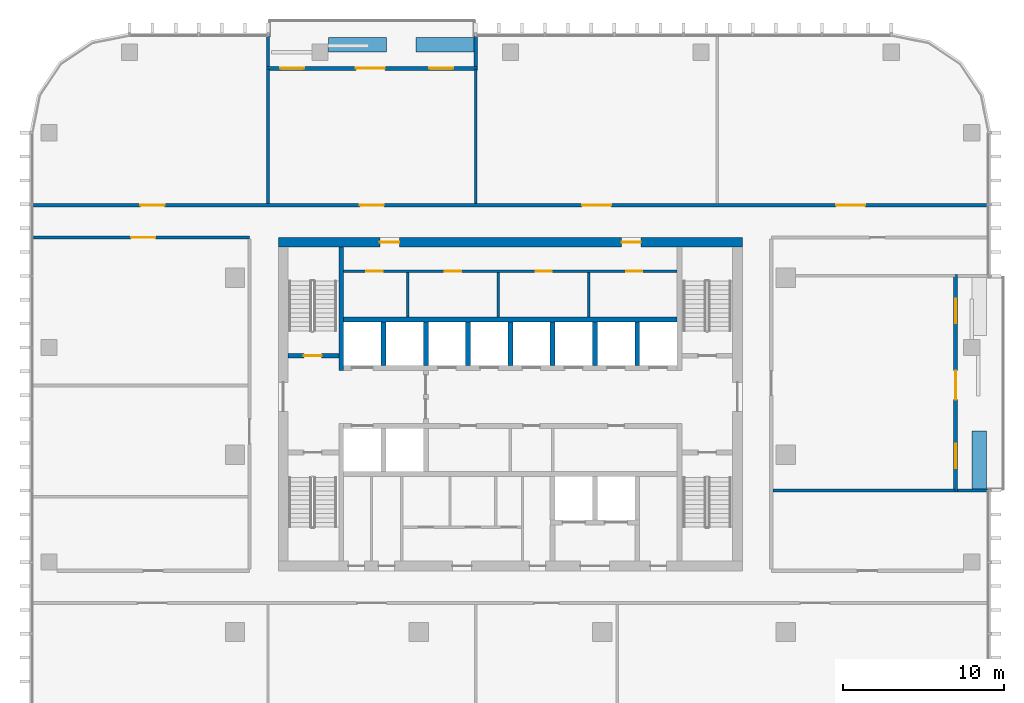
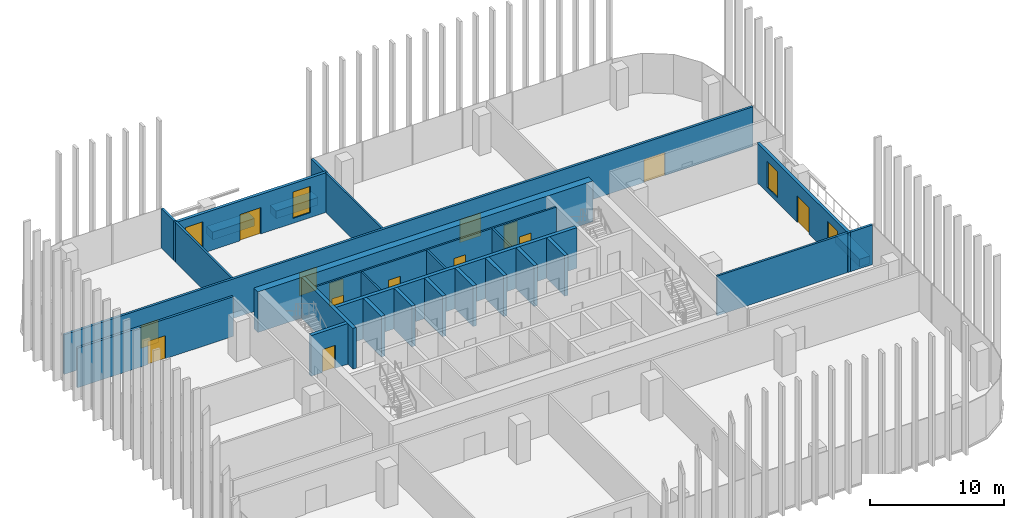
# One storey, part 9 of 16: 28 walls, 14 doors, 4 windows, 18 openings.
"""IFC4 building model written with IfcOpenShell, lengths in metres."""

from ifc_helpers import new_model, si_unit, direction, frame, frame_2d, origin, place, context, subcontext, project, spatial, rectangle, extrude, material, layer, layer_set, type_object, element, fill, save


model = new_model("IFC4")

# Units and contexts
model_context = context("Model", 3, precision=1e-05, world=origin(), true_north=direction((0.0, 1.0)))
body_context = subcontext(model_context, "Body", "Model", "MODEL_VIEW")
ifc_project = project(units=[si_unit("LENGTHUNIT", "METRE"), si_unit("AREAUNIT", "SQUARE_METRE"), si_unit("VOLUMEUNIT", "CUBIC_METRE"), si_unit("PLANEANGLEUNIT", "RADIAN"), si_unit("MASSUNIT", "GRAM", prefix="KILO")], contexts=[model_context])

# Site, building, storey
site_placement = place(None, origin())
site = spatial("IfcSite", under=ifc_project, at=site_placement, CompositionType="ELEMENT")
building_placement = place(site_placement, origin())
building = spatial("IfcBuilding", under=site, at=building_placement, Name="Mopane Tessera Tower", CompositionType="ELEMENT")
storey_placement = place(building_placement, frame((0.0, 0.0, 303.39990234375)))
storey = spatial("IfcBuildingStorey", under=building, at=storey_placement, Name="L66", CompositionType="ELEMENT", Elevation=303.39990234375)

# Walls
ifc_material_1 = material(Name="Fire-rated gypsum board partition")
ifc_layer_1 = layer(ifc_material_1, 0.14990234375)
ifc_layer_set_1 = layer_set([ifc_layer_1], Name="Fire-rated gypsum board partition")
wall_type_1 = type_object("IfcWallType", Name="Core room partition 150 mm", PredefinedType="PARTITIONING", material=ifc_layer_set_1)
for number, where, z_axis, x_axis, name in (
    (1, (-6.375, 8.550048828125, 0.0), (0.0, 0.0, 1.0), (0.0, 1.0, 0.0), "L66 Room partition"),
    (2, (-0.75, 8.550048828125, 0.0), (0.0, 0.0, 1.0), (0.0, 1.0, 0.0), "L66 Room partition"),
    (3, (4.875, 8.550048828125, 0.0), (0.0, 0.0, 1.0), (0.0, 1.0, 0.0), "L66 Room partition"),
):
    element("IfcWall", number, at=place(storey_placement, frame(where, z_axis=z_axis, x_axis=x_axis)), inside=storey, type_object=wall_type_1, Name=name, PredefinedType="PARTITIONING", context=body_context, shape_type="SweptSolid", body=[
        extrude(rectangle(XDim=2.77490234375, YDim=0.14990234375, at=frame_2d((1.387451171875, 0.0))), origin(), (0.0, 0.0, 1.0), 3.7001953125),
    ])

# Wall, openings, doors
wall_1_placement = place(storey_placement, frame((-10.35009765625, 11.39990234375, 0.0), z_axis=(0.0, 0.0, 1.0), x_axis=(1.0, 0.0, 0.0)))
wall_1 = element("IfcWall", 4, at=wall_1_placement, inside=storey, type_object=wall_type_1, Name="L66 Corridor wall", PredefinedType="PARTITIONING", context=body_context, shape_type="SweptSolid", body=[
    extrude(rectangle(XDim=20.7001953125, YDim=0.14990234375, at=frame_2d((10.35009765625, 0.0))), origin(), (0.0, 0.0, 1.0), 3.7001953125),
])
opening_1_placement = place(wall_1_placement, frame((1.41259765625, 0.0, 0.0)))
opening_1 = element("IfcOpeningElement", 5, at=opening_1_placement, cuts=wall_1, Name="Opening RD1", PredefinedType="OPENING", context=body_context, shape_type="SweptSolid", body=[
    extrude(rectangle(XDim=1.0, YDim=2.10009765625, at=frame_2d((0.5, 1.050048828125))), frame((0.0, 0.0869140625, 0.0), z_axis=(0.0, -1.0, 0.0), x_axis=(1.0, 0.0, 0.0)), (0.0, 0.0, 1.0), 0.173828125),
])
opening_2_placement = place(wall_1_placement, frame((6.28759765625, 0.0, 0.0)))
opening_2 = element("IfcOpeningElement", 6, at=opening_2_placement, cuts=wall_1, Name="Opening RD1", PredefinedType="OPENING", context=body_context, shape_type="SweptSolid", body=[
    extrude(rectangle(XDim=1.0, YDim=2.10009765625, at=frame_2d((0.5, 1.050048828125))), frame((0.0, 0.0869140625, 0.0), z_axis=(0.0, -1.0, 0.0), x_axis=(1.0, 0.0, 0.0)), (0.0, 0.0, 1.0), 0.173828125),
])
opening_3_placement = place(wall_1_placement, frame((11.91259765625, 0.0, 0.0)))
opening_3 = element("IfcOpeningElement", 7, at=opening_3_placement, cuts=wall_1, Name="Opening RD1", PredefinedType="OPENING", context=body_context, shape_type="SweptSolid", body=[
    extrude(rectangle(XDim=1.0, YDim=2.10009765625, at=frame_2d((0.5, 1.050048828125))), frame((0.0, 0.0869140625, 0.0), z_axis=(0.0, -1.0, 0.0), x_axis=(1.0, 0.0, 0.0)), (0.0, 0.0, 1.0), 0.173828125),
])
opening_4_placement = place(wall_1_placement, frame((17.53759765625, 0.0, 0.0)))
opening_4 = element("IfcOpeningElement", 8, at=opening_4_placement, cuts=wall_1, Name="Opening RD1", PredefinedType="OPENING", context=body_context, shape_type="SweptSolid", body=[
    extrude(rectangle(XDim=1.0, YDim=2.10009765625, at=frame_2d((0.5, 1.050048828125))), frame((0.0, 0.0869140625, 0.0), z_axis=(0.0, -1.0, 0.0), x_axis=(1.0, 0.0, 0.0)), (0.0, 0.0, 1.0), 0.173828125),
])
ifc_material_2 = material(Name="Timber door", Category="wood")
door_type_1 = type_object("IfcDoorType", Name="Core room door 1000 x 2100", OperationType="SINGLE_SWING_LEFT", PredefinedType="DOOR", material=ifc_material_2)
door_1_placement = place(opening_1_placement, origin())
door_1 = element("IfcDoor", 9, at=door_1_placement, inside=storey, type_object=door_type_1, Name="L66 Room door", OperationType="SINGLE_SWING_LEFT", OverallHeight=2.10009765625, OverallWidth=1.0, PredefinedType="DOOR", context=body_context, shape_type="SweptSolid", body=[
    extrude(rectangle(XDim=1.0, YDim=2.10009765625, at=frame_2d((0.5, 1.050048828125))), frame((0.0, 0.02490234375, 0.0), z_axis=(0.0, -1.0, 0.0), x_axis=(1.0, 0.0, 0.0)), (0.0, 0.0, 1.0), 0.050048828125),
])
fill(opening_1, door_1)
door_2_placement = place(opening_2_placement, origin())
door_2 = element("IfcDoor", 10, at=door_2_placement, inside=storey, type_object=door_type_1, Name="L66 Room door", OperationType="SINGLE_SWING_LEFT", OverallHeight=2.10009765625, OverallWidth=1.0, PredefinedType="DOOR", context=body_context, shape_type="SweptSolid", body=[
    extrude(rectangle(XDim=1.0, YDim=2.10009765625, at=frame_2d((0.5, 1.050048828125))), frame((0.0, 0.02490234375, 0.0), z_axis=(0.0, -1.0, 0.0), x_axis=(1.0, 0.0, 0.0)), (0.0, 0.0, 1.0), 0.050048828125),
])
fill(opening_2, door_2)
door_3_placement = place(opening_3_placement, origin())
door_3 = element("IfcDoor", 11, at=door_3_placement, inside=storey, type_object=door_type_1, Name="L66 Room door", OperationType="SINGLE_SWING_LEFT", OverallHeight=2.10009765625, OverallWidth=1.0, PredefinedType="DOOR", context=body_context, shape_type="SweptSolid", body=[
    extrude(rectangle(XDim=1.0, YDim=2.10009765625, at=frame_2d((0.5, 1.050048828125))), frame((0.0, 0.02490234375, 0.0), z_axis=(0.0, -1.0, 0.0), x_axis=(1.0, 0.0, 0.0)), (0.0, 0.0, 1.0), 0.050048828125),
])
fill(opening_3, door_3)
door_4_placement = place(opening_4_placement, origin())
door_4 = element("IfcDoor", 12, at=door_4_placement, inside=storey, type_object=door_type_1, Name="L66 Room door", OperationType="SINGLE_SWING_LEFT", OverallHeight=2.10009765625, OverallWidth=1.0, PredefinedType="DOOR", context=body_context, shape_type="SweptSolid", body=[
    extrude(rectangle(XDim=1.0, YDim=2.10009765625, at=frame_2d((0.5, 1.050048828125))), frame((0.0, 0.02490234375, 0.0), z_axis=(0.0, -1.0, 0.0), x_axis=(1.0, 0.0, 0.0)), (0.0, 0.0, 1.0), 0.050048828125),
])
fill(opening_4, door_4)

ifc_material_3 = material(Name="Concrete C70/85", Category="concrete")
ifc_layer_2 = layer(ifc_material_3, 0.60009765625)
ifc_layer_set_2 = layer_set([ifc_layer_2], Name="Concrete C70/85")
wall_type_2 = type_object("IfcWallType", Name="Core shear wall 600 mm", PredefinedType="SHEAR", material=ifc_layer_set_2)
wall_2_placement = place(storey_placement, frame((-14.39990234375, 13.199951171875, 0.0), z_axis=(0.0, 0.0, 1.0), x_axis=(1.0, 0.0, 0.0)))
wall_2 = element("IfcWall", 13, at=wall_2_placement, inside=storey, type_object=wall_type_2, Name="L66 Core wall north", PredefinedType="SHEAR", context=body_context, shape_type="SweptSolid", body=[
    extrude(rectangle(XDim=28.7998046875, YDim=0.60009765625, at=frame_2d((14.39990234375, 0.0))), origin(), (0.0, 0.0, 1.0), 3.7001953125),
])
opening_5_placement = place(wall_2_placement, frame((6.300048828125, 0.0, 0.0)))
opening_5 = element("IfcOpeningElement", 14, at=opening_5_placement, cuts=wall_2, Name="Opening RD2", PredefinedType="OPENING", context=body_context, shape_type="SweptSolid", body=[
    extrude(rectangle(XDim=1.199951171875, YDim=2.10009765625, at=frame_2d((0.60009765625, 1.050048828125))), frame((0.0, 0.31201171875, 0.0), z_axis=(0.0, -1.0, 0.0), x_axis=(1.0, 0.0, 0.0)), (0.0, 0.0, 1.0), 0.6240234375),
])
opening_6_placement = place(wall_2_placement, frame((21.300048828125, 0.0, 0.0)))
opening_6 = element("IfcOpeningElement", 15, at=opening_6_placement, cuts=wall_2, Name="Opening RD2", PredefinedType="OPENING", context=body_context, shape_type="SweptSolid", body=[
    extrude(rectangle(XDim=1.199951171875, YDim=2.10009765625, at=frame_2d((0.60009765625, 1.050048828125))), frame((0.0, 0.31201171875, 0.0), z_axis=(0.0, -1.0, 0.0), x_axis=(1.0, 0.0, 0.0)), (0.0, 0.0, 1.0), 0.6240234375),
])
ifc_material_4 = material(Name="Timber door", Category="wood")
door_type_2 = type_object("IfcDoorType", Name="Core corridor door 1200 x 2100", OperationType="SINGLE_SWING_LEFT", PredefinedType="DOOR", material=ifc_material_4)
door_5_placement = place(opening_5_placement, origin())
door_5 = element("IfcDoor", 16, at=door_5_placement, inside=storey, type_object=door_type_2, Name="L66 Corridor door", OperationType="SINGLE_SWING_LEFT", OverallHeight=2.10009765625, OverallWidth=1.199951171875, PredefinedType="DOOR", context=body_context, shape_type="SweptSolid", body=[
    extrude(rectangle(XDim=1.199951171875, YDim=2.10009765625, at=frame_2d((0.60009765625, 1.050048828125))), frame((0.0, 0.02490234375, 0.0), z_axis=(0.0, -1.0, 0.0), x_axis=(1.0, 0.0, 0.0)), (0.0, 0.0, 1.0), 0.050048828125),
])
fill(opening_5, door_5)
door_6_placement = place(opening_6_placement, origin())
door_6 = element("IfcDoor", 17, at=door_6_placement, inside=storey, type_object=door_type_2, Name="L66 Corridor door", OperationType="SINGLE_SWING_RIGHT", OverallHeight=2.10009765625, OverallWidth=1.199951171875, PredefinedType="DOOR", context=body_context, shape_type="SweptSolid", body=[
    extrude(rectangle(XDim=1.199951171875, YDim=2.10009765625, at=frame_2d((0.60009765625, 1.050048828125))), frame((0.0, 0.02490234375, 0.0), z_axis=(0.0, -1.0, 0.0), x_axis=(1.0, 0.0, 0.0)), (0.0, 0.0, 1.0), 0.050048828125),
])
fill(opening_6, door_6)

# Walls
ifc_material_5 = material(Name="Concrete C60/75", Category="concrete")
ifc_layer_3 = layer(ifc_material_5, 0.300048828125)
ifc_layer_set_3 = layer_set([ifc_layer_3], Name="Concrete C60/75")
wall_type_3 = type_object("IfcWallType", Name="Core spine wall 300 mm", PredefinedType="SHEAR", material=ifc_layer_set_3)
wall_3_placement = place(storey_placement, frame((-10.5, 5.25, 0.0), z_axis=(0.0, 0.0, 1.0), x_axis=(0.0, 1.0, 0.0)))
element("IfcWall", 18, at=wall_3_placement, inside=storey, type_object=wall_type_3, Name="L66 Core spine wall", PredefinedType="SHEAR", context=body_context, shape_type="SweptSolid", body=[
    extrude(rectangle(XDim=7.64990234375, YDim=0.300048828125, at=frame_2d((3.824951171875, 0.0))), origin(), (0.0, 0.0, 1.0), 3.7001953125),
])
ifc_material_6 = material(Name="Gypsum board on staggered steel studs, double layer each face, acoustic mineral wool infill", Category="steel")
ifc_layer_4 = layer(ifc_material_6, 0.175048828125)
ifc_layer_set_4 = layer_set([ifc_layer_4], Name="Gypsum board on staggered steel studs, double layer each face, acoustic mineral wool infill")
wall_type_4 = type_object("IfcWallType", Name="Gypsum board acoustic partition 175, rated EI 60", PredefinedType="PARTITIONING", material=ifc_layer_set_4)
wall_4_placement = place(storey_placement, frame((16.300048828125, -2.219970703125, 0.0), z_axis=(0.0, 0.0, 1.0), x_axis=(1.0, 0.0, 0.0)))
element("IfcWall", 19, at=wall_4_placement, inside=storey, type_object=wall_type_4, Name="Partition L66:004", PredefinedType="PARTITIONING", context=body_context, shape_type="SweptSolid", body=[
    extrude(rectangle(XDim=11.300048828125, YDim=0.175048828125, at=frame_2d((5.64990234375, 0.0))), origin(), (0.0, 0.0, 1.0), 3.60009765625),
])
wall_5_placement = place(storey_placement, frame((-15.050048828125, 15.60009765625, 0.0), z_axis=(0.0, 0.0, 1.0), x_axis=(0.0, 1.0, 0.0)))
element("IfcWall", 20, at=wall_5_placement, inside=storey, type_object=wall_type_4, Name="Partition L66:012", PredefinedType="PARTITIONING", context=body_context, shape_type="SweptSolid", body=[
    extrude(rectangle(XDim=8.349853515625, YDim=0.175048828125, at=frame_2d((4.1748046875, 0.0))), origin(), (0.0, 0.0, 1.0), 3.60009765625),
])

# Wall, opening, door
ifc_material_7 = material(Name="Gypsum board on steel studs, two layers each face, mineral wool infill", Category="steel")
ifc_layer_5 = layer(ifc_material_7, 0.199951171875)
ifc_layer_set_5 = layer_set([ifc_layer_5], Name="Gypsum board on steel studs, two layers each face, mineral wool infill")
wall_type_5 = type_object("IfcWallType", Name="Gypsum board corridor wall 200, rated EI 60", PredefinedType="PARTITIONING", material=ifc_layer_set_5)
wall_6_placement = place(storey_placement, frame((-29.60009765625, 13.5, 0.0), z_axis=(0.0, 0.0, 1.0), x_axis=(1.0, 0.0, 0.0)))
wall_6 = element("IfcWall", 21, at=wall_6_placement, inside=storey, type_object=wall_type_5, Name="Partition L66:007", PredefinedType="PARTITIONING", context=body_context, shape_type="SweptSolid", body=[
    extrude(rectangle(XDim=13.400146484375, YDim=0.199951171875, at=frame_2d((6.7001953125, 0.0))), origin(), (0.0, 0.0, 1.0), 3.60009765625),
])
opening_7_placement = place(wall_6_placement, frame((6.050048828125, 0.0, 0.0)))
opening_7 = element("IfcOpeningElement", 22, at=opening_7_placement, cuts=wall_6, Name="Opening L66-01", PredefinedType="OPENING", context=body_context, shape_type="SweptSolid", body=[
    extrude(rectangle(XDim=1.5, YDim=2.10009765625, at=frame_2d((0.75, 1.050048828125))), frame((0.0, 0.112060546875, 0.0), z_axis=(0.0, -1.0, 0.0), x_axis=(1.0, 0.0, 0.0)), (0.0, 0.0, 1.0), 0.223876953125),
])
ifc_material_8 = material(Name="Timber veneered steel-framed fire door", Category="steel")
door_type_3 = type_object("IfcDoorType", Name="Fire door pair FD60 1500 x 2100", OperationType="DOUBLE_DOOR_SINGLE_SWING", PredefinedType="DOOR", material=ifc_material_8)
door_7_placement = place(opening_7_placement, origin())
door_7 = element("IfcDoor", 23, at=door_7_placement, inside=storey, type_object=door_type_3, Name="Door L66-01", ObjectType="D17A", OperationType="DOUBLE_DOOR_SINGLE_SWING", OverallHeight=2.10009765625, OverallWidth=1.5, PredefinedType="DOOR", context=body_context, shape_type="SweptSolid", body=[
    extrude(rectangle(XDim=1.5, YDim=2.10009765625, at=frame_2d((0.75, 1.050048828125))), frame((0.0, 0.02490234375, 0.0), z_axis=(0.0, -1.0, 0.0), x_axis=(1.0, 0.0, 0.0)), (0.0, 0.0, 1.0), 0.050048828125),
])
fill(opening_7, door_7)

# Wall, openings, doors
wall_7_placement = place(storey_placement, frame((-29.60009765625, 15.5, 0.0), z_axis=(0.0, 0.0, 1.0), x_axis=(1.0, 0.0, 0.0)))
wall_7 = element("IfcWall", 24, at=wall_7_placement, inside=storey, type_object=wall_type_5, Name="Partition L66:009", PredefinedType="PARTITIONING", context=body_context, shape_type="SweptSolid", body=[
    extrude(rectangle(XDim=59.2001953125, YDim=0.199951171875, at=frame_2d((29.60009765625, 0.0))), origin(), (0.0, 0.0, 1.0), 3.60009765625),
])
opening_8_placement = place(wall_7_placement, frame((20.25, 0.0, 0.0)))
opening_8 = element("IfcOpeningElement", 25, at=opening_8_placement, cuts=wall_7, Name="Opening L66-04", PredefinedType="OPENING", context=body_context, shape_type="SweptSolid", body=[
    extrude(rectangle(XDim=1.5, YDim=2.10009765625, at=frame_2d((0.75, 1.050048828125))), frame((0.0, 0.112060546875, 0.0), z_axis=(0.0, -1.0, 0.0), x_axis=(1.0, 0.0, 0.0)), (0.0, 0.0, 1.0), 0.223876953125),
])
opening_9_placement = place(wall_7_placement, frame((49.824951171875, 0.0, 0.0)))
opening_9 = element("IfcOpeningElement", 26, at=opening_9_placement, cuts=wall_7, Name="Opening L66-06", PredefinedType="OPENING", context=body_context, shape_type="SweptSolid", body=[
    extrude(rectangle(XDim=1.800048828125, YDim=2.10009765625, at=frame_2d((0.89990234375, 1.050048828125))), frame((0.0, 0.112060546875, 0.0), z_axis=(0.0, -1.0, 0.0), x_axis=(1.0, 0.0, 0.0)), (0.0, 0.0, 1.0), 0.223876953125),
])
opening_10_placement = place(wall_7_placement, frame((34.050048828125, 0.0, 0.0)))
opening_10 = element("IfcOpeningElement", 27, at=opening_10_placement, cuts=wall_7, Name="Opening L66-10", PredefinedType="OPENING", context=body_context, shape_type="SweptSolid", body=[
    extrude(rectangle(XDim=1.800048828125, YDim=2.10009765625, at=frame_2d((0.89990234375, 1.050048828125))), frame((0.0, 0.112060546875, 0.0), z_axis=(0.0, -1.0, 0.0), x_axis=(1.0, 0.0, 0.0)), (0.0, 0.0, 1.0), 0.223876953125),
])
opening_11_placement = place(wall_7_placement, frame((6.625, 0.0, 0.0)))
opening_11 = element("IfcOpeningElement", 28, at=opening_11_placement, cuts=wall_7, Name="Opening L66-12", PredefinedType="OPENING", context=body_context, shape_type="SweptSolid", body=[
    extrude(rectangle(XDim=1.5, YDim=2.10009765625, at=frame_2d((0.75, 1.050048828125))), frame((0.0, 0.112060546875, 0.0), z_axis=(0.0, -1.0, 0.0), x_axis=(1.0, 0.0, 0.0)), (0.0, 0.0, 1.0), 0.223876953125),
])
door_8_placement = place(opening_8_placement, origin())
door_8 = element("IfcDoor", 29, at=door_8_placement, inside=storey, type_object=door_type_3, Name="Door L66-04", ObjectType="D17A", OperationType="DOUBLE_DOOR_SINGLE_SWING", OverallHeight=2.10009765625, OverallWidth=1.5, PredefinedType="DOOR", context=body_context, shape_type="SweptSolid", body=[
    extrude(rectangle(XDim=1.5, YDim=2.10009765625, at=frame_2d((0.75, 1.050048828125))), frame((0.0, 0.02490234375, 0.0), z_axis=(0.0, -1.0, 0.0), x_axis=(1.0, 0.0, 0.0)), (0.0, 0.0, 1.0), 0.050048828125),
])
fill(opening_8, door_8)
door_9_placement = place(opening_11_placement, origin())
door_9 = element("IfcDoor", 30, at=door_9_placement, inside=storey, type_object=door_type_3, Name="Door L66-12", ObjectType="D17A", OperationType="DOUBLE_DOOR_SINGLE_SWING", OverallHeight=2.10009765625, OverallWidth=1.5, PredefinedType="DOOR", context=body_context, shape_type="SweptSolid", body=[
    extrude(rectangle(XDim=1.5, YDim=2.10009765625, at=frame_2d((0.75, 1.050048828125))), frame((0.0, 0.02490234375, 0.0), z_axis=(0.0, -1.0, 0.0), x_axis=(1.0, 0.0, 0.0)), (0.0, 0.0, 1.0), 0.050048828125),
])
fill(opening_11, door_9)
ifc_material_9 = material(Name="Timber veneered steel-framed fire door", Category="steel")
door_type_4 = type_object("IfcDoorType", Name="Fire door pair FD60 1800 x 2100", OperationType="DOUBLE_DOOR_SINGLE_SWING", PredefinedType="DOOR", material=ifc_material_9)
door_10_placement = place(opening_9_placement, origin())
door_10 = element("IfcDoor", 31, at=door_10_placement, inside=storey, type_object=door_type_4, Name="Door L66-06", ObjectType="D20A", OperationType="DOUBLE_DOOR_SINGLE_SWING", OverallHeight=2.10009765625, OverallWidth=1.800048828125, PredefinedType="DOOR", context=body_context, shape_type="SweptSolid", body=[
    extrude(rectangle(XDim=1.800048828125, YDim=2.10009765625, at=frame_2d((0.89990234375, 1.050048828125))), frame((0.0, 0.02490234375, 0.0), z_axis=(0.0, -1.0, 0.0), x_axis=(1.0, 0.0, 0.0)), (0.0, 0.0, 1.0), 0.050048828125),
])
fill(opening_9, door_10)
door_11_placement = place(opening_10_placement, origin())
door_11 = element("IfcDoor", 32, at=door_11_placement, inside=storey, type_object=door_type_4, Name="Door L66-10", ObjectType="D20A", OperationType="DOUBLE_DOOR_SINGLE_SWING", OverallHeight=2.10009765625, OverallWidth=1.800048828125, PredefinedType="DOOR", context=body_context, shape_type="SweptSolid", body=[
    extrude(rectangle(XDim=1.800048828125, YDim=2.10009765625, at=frame_2d((0.89990234375, 1.050048828125))), frame((0.0, 0.02490234375, 0.0), z_axis=(0.0, -1.0, 0.0), x_axis=(1.0, 0.0, 0.0)), (0.0, 0.0, 1.0), 0.050048828125),
])
fill(opening_10, door_11)

# Wall
ifc_material_10 = material(Name="Gypsum board on steel studs, mineral wool infill", Category="steel")
ifc_layer_6 = layer(ifc_material_10, 0.14990234375)
ifc_layer_set_6 = layer_set([ifc_layer_6], Name="Gypsum board on steel studs, mineral wool infill")
wall_type_6 = type_object("IfcWallType", Name="Gypsum board partition 150, rated EI 60", PredefinedType="PARTITIONING", material=ifc_layer_set_6)
wall_8_placement = place(storey_placement, frame((-2.14990234375, 15.60009765625, 0.0), z_axis=(0.0, 0.0, 1.0), x_axis=(0.0, 1.0, 0.0)))
element("IfcWall", 33, at=wall_8_placement, inside=storey, type_object=wall_type_6, Name="Partition L66:013", PredefinedType="PARTITIONING", context=body_context, shape_type="SweptSolid", body=[
    extrude(rectangle(XDim=8.349853515625, YDim=0.14990234375, at=frame_2d((4.1748046875, 0.0))), origin(), (0.0, 0.0, 1.0), 3.60009765625),
])

# Wall, opening, door
ifc_material_11 = material(Name="Concrete C50/60", Category="concrete")
ifc_layer_7 = layer(ifc_material_11, 0.300048828125)
ifc_layer_set_7 = layer_set([ifc_layer_7], Name="Concrete C50/60")
wall_type_7 = type_object("IfcWallType", Name="Lift and stair shaft wall 300 mm", PredefinedType="SOLIDWALL", material=ifc_layer_set_7)
wall_9_placement = place(storey_placement, frame((-13.800048828125, 6.14990234375, 0.0), z_axis=(0.0, 0.0, 1.0), x_axis=(1.0, 0.0, 0.0)))
wall_9 = element("IfcWall", 34, at=wall_9_placement, inside=storey, type_object=wall_type_7, Name="L66 Stair enclosure wall", PredefinedType="SOLIDWALL", context=body_context, shape_type="SweptSolid", body=[
    extrude(rectangle(XDim=3.150146484375, YDim=0.300048828125, at=frame_2d((1.5751953125, 0.0))), origin(), (0.0, 0.0, 1.0), 3.7001953125),
])
opening_12_placement = place(wall_9_placement, frame((0.97509765625, 0.0, 0.0)))
opening_12 = element("IfcOpeningElement", 35, at=opening_12_placement, cuts=wall_9, Name="Opening SD1", PredefinedType="OPENING", context=body_context, shape_type="SweptSolid", body=[
    extrude(rectangle(XDim=1.10009765625, YDim=2.10009765625, at=frame_2d((0.550048828125, 1.050048828125))), frame((0.0, 0.162109375, 0.0), z_axis=(0.0, -1.0, 0.0), x_axis=(1.0, 0.0, 0.0)), (0.0, 0.0, 1.0), 0.323974609375),
])
ifc_material_12 = material(Name="Steel fire door", Category="steel")
door_type_5 = type_object("IfcDoorType", Name="Stair fire door 1100 x 2100", OperationType="SINGLE_SWING_LEFT", PredefinedType="DOOR", material=ifc_material_12)
door_12_placement = place(opening_12_placement, origin())
door_12 = element("IfcDoor", 36, at=door_12_placement, inside=storey, type_object=door_type_5, Name="L66 Stair door ST2", OperationType="SINGLE_SWING_LEFT", OverallHeight=2.10009765625, OverallWidth=1.10009765625, PredefinedType="DOOR", context=body_context, shape_type="SweptSolid", body=[
    extrude(rectangle(XDim=1.10009765625, YDim=2.10009765625, at=frame_2d((0.550048828125, 1.050048828125))), frame((0.0, 0.02490234375, 0.0), z_axis=(0.0, -1.0, 0.0), x_axis=(1.0, 0.0, 0.0)), (0.0, 0.0, 1.0), 0.050048828125),
])
fill(opening_12, door_12)

# Walls
wall_10_placement = place(storey_placement, frame((-10.35009765625, 8.39990234375, 0.0), z_axis=(0.0, 0.0, 1.0), x_axis=(1.0, 0.0, 0.0)))
element("IfcWall", 37, at=wall_10_placement, inside=storey, type_object=wall_type_7, Name="L66 Lift shaft rear wall", PredefinedType="SOLIDWALL", context=body_context, shape_type="SweptSolid", body=[
    extrude(rectangle(XDim=20.7001953125, YDim=0.300048828125, at=frame_2d((10.35009765625, 0.0))), origin(), (0.0, 0.0, 1.0), 3.7001953125),
])
for number, where, z_axis, x_axis, name in (
    (38, (-7.875, 5.550048828125, 0.0), (0.0, 0.0, 1.0), (0.0, 1.0, 0.0), "L66 Lift shaft wall"),
    (39, (-5.25, 5.550048828125, 0.0), (0.0, 0.0, 1.0), (0.0, 1.0, 0.0), "L66 Lift shaft wall"),
    (40, (-2.625, 5.550048828125, 0.0), (0.0, 0.0, 1.0), (0.0, 1.0, 0.0), "L66 Lift shaft wall"),
    (41, (0.0, 5.550048828125, 0.0), (0.0, 0.0, 1.0), (0.0, 1.0, 0.0), "L66 Lift shaft wall"),
    (42, (2.625, 5.550048828125, 0.0), (0.0, 0.0, 1.0), (0.0, 1.0, 0.0), "L66 Lift shaft wall"),
    (43, (5.25, 5.550048828125, 0.0), (0.0, 0.0, 1.0), (0.0, 1.0, 0.0), "L66 Lift shaft wall"),
    (44, (7.875, 5.550048828125, 0.0), (0.0, 0.0, 1.0), (0.0, 1.0, 0.0), "L66 Lift shaft wall"),
):
    element("IfcWall", number, at=place(storey_placement, frame(where, z_axis=z_axis, x_axis=x_axis)), inside=storey, type_object=wall_type_7, Name=name, PredefinedType="SOLIDWALL", context=body_context, shape_type="SweptSolid", body=[
        extrude(rectangle(XDim=2.699951171875, YDim=0.300048828125, at=frame_2d((1.35009765625, 0.0))), origin(), (0.0, 0.0, 1.0), 3.7001953125),
    ])
ifc_material_13 = material(Name="Reinforced concrete C32/40 with waterproofing", Category="concrete")
ifc_layer_8 = layer(ifc_material_13, 0.89990234375)
ifc_layer_set_8 = layer_set([ifc_layer_8], Name="Reinforced concrete C32/40 with waterproofing")
wall_type_8 = type_object("IfcWallType", Name="Planter trough 3600 x 900", PredefinedType="STANDARD", material=ifc_layer_set_8)
for number, where, z_axis, x_axis, name in (
    (45, (29.10009765625, -2.122314453125, 0.0), (0.0, 0.0, 1.0), (0.0, 1.0, 0.0), "e:nw:L66:N1:pl0"),
    (46, (-2.25, 25.449951171875, 0.0), (0.0, 0.0, 1.0), (-1.0, 0.0, 0.0), "e:nw:L66:N2:pl0"),
    (47, (-7.704833984375, 25.449951171875, 0.0), (0.0, 0.0, 1.0), (-1.0, 0.0, 0.0), "e:nw:L66:N2:pl1"),
):
    element("IfcWall", number, at=place(storey_placement, frame(where, z_axis=z_axis, x_axis=x_axis)), inside=storey, type_object=wall_type_8, Name=name, PredefinedType="STANDARD", context=body_context, shape_type="SweptSolid", body=[
        extrude(rectangle(XDim=3.60009765625, YDim=0.89990234375, at=frame_2d((1.800048828125, 0.0))), origin(), (0.0, 0.0, 1.0), 0.7001953125),
    ])
ifc_material_14 = material(Name="Blockwork with glazed tile facing", Category="masonry")
ifc_layer_9 = layer(ifc_material_14, 0.199951171875)
ifc_layer_set_9 = layer_set([ifc_layer_9], Name="Blockwork with glazed tile facing")
wall_type_9 = type_object("IfcWallType", Name="Terrace cheek wall 200", PredefinedType="STANDARD", material=ifc_layer_set_9)
for number, where, z_axis, x_axis, name in (
    (48, (29.64990234375, -2.22216796875, 0.0), (0.0, 0.0, 1.0), (-1.0, 0.0, 0.0), "e:nw:L66:N1:cheeka"),
    (49, (-2.14990234375, 26.0, 0.0), (0.0, 0.0, 1.0), (0.0, -1.0, 0.0), "e:nw:L66:N2:cheeka"),
    (50, (-15.050048828125, 26.0, 0.0), (0.0, 0.0, 1.0), (0.0, -1.0, 0.0), "e:nw:L66:N2:cheekb"),
):
    element("IfcWall", number, at=place(storey_placement, frame(where, z_axis=z_axis, x_axis=x_axis)), inside=storey, type_object=wall_type_9, Name=name, PredefinedType="STANDARD", context=body_context, shape_type="SweptSolid", body=[
        extrude(rectangle(XDim=1.875, YDim=0.199951171875, at=frame_2d((0.9375, 0.0))), origin(), (0.0, 0.0, 1.0), 3.60009765625),
    ])

# Wall, openings, windows, door
ifc_material_15 = material(Name="Blockwork with ultramarine glazed tile facing", Category="masonry")
ifc_layer_10 = layer(ifc_material_15, 0.25)
ifc_layer_set_10 = layer_set([ifc_layer_10], Name="Blockwork with ultramarine glazed tile facing")
wall_type_10 = type_object("IfcWallType", Name="Tile-clad external wall 250, ultramarine", PredefinedType="STANDARD", material=ifc_layer_set_10)
wall_11_placement = place(storey_placement, frame((27.64990234375, -2.322265625, 0.0), z_axis=(0.0, 0.0, 1.0), x_axis=(0.0, 1.0, 0.0)))
wall_11 = element("IfcWall", 51, at=wall_11_placement, inside=storey, type_object=wall_type_10, Name="e:nw:L66:N1:back", PredefinedType="STANDARD", context=body_context, shape_type="SweptSolid", body=[
    extrude(rectangle(XDim=13.533447265625, YDim=0.25, at=frame_2d((6.7666015625, 0.0))), origin(), (0.0, 0.0, 1.0), 3.60009765625),
])
opening_13_placement = place(wall_11_placement, frame((1.5, 0.0, 0.449951171875)))
opening_13 = element("IfcOpeningElement", 52, at=opening_13_placement, cuts=wall_11, Name="Opening NW661A", PredefinedType="OPENING", context=body_context, shape_type="SweptSolid", body=[
    extrude(rectangle(XDim=1.5, YDim=2.39990234375, at=frame_2d((0.75, 1.199951171875))), frame((0.0, 0.136962890625, 0.0), z_axis=(0.0, -1.0, 0.0), x_axis=(1.0, 0.0, 0.0)), (0.0, 0.0, 1.0), 0.27392578125),
])
opening_14_placement = place(wall_11_placement, frame((5.75, 0.0, 0.0)))
opening_14 = element("IfcOpeningElement", 53, at=opening_14_placement, cuts=wall_11, Name="Opening ND661", PredefinedType="OPENING", context=body_context, shape_type="SweptSolid", body=[
    extrude(rectangle(XDim=1.800048828125, YDim=2.39990234375, at=frame_2d((0.89990234375, 1.199951171875))), frame((0.0, 0.136962890625, 0.0), z_axis=(0.0, -1.0, 0.0), x_axis=(1.0, 0.0, 0.0)), (0.0, 0.0, 1.0), 0.27392578125),
])
opening_15_placement = place(wall_11_placement, frame((10.5, 0.0, 0.449951171875)))
opening_15 = element("IfcOpeningElement", 54, at=opening_15_placement, cuts=wall_11, Name="Opening NW661B", PredefinedType="OPENING", context=body_context, shape_type="SweptSolid", body=[
    extrude(rectangle(XDim=1.5, YDim=2.39990234375, at=frame_2d((0.75, 1.199951171875))), frame((0.0, 0.136962890625, 0.0), z_axis=(0.0, -1.0, 0.0), x_axis=(1.0, 0.0, 0.0)), (0.0, 0.0, 1.0), 0.27392578125),
])
ifc_material_16 = material(Name="Clear laminated glass", Category="glass")
window_type = type_object("IfcWindowType", Name="Fixed window 1500 x 2400", PartitioningType="SINGLE_PANEL", PredefinedType="WINDOW", material=ifc_material_16)
window_1_placement = place(opening_13_placement, origin())
window_1 = element("IfcWindow", 55, at=window_1_placement, inside=storey, type_object=window_type, Name="e:nw:L66:N1:win0", OverallHeight=2.39990234375, OverallWidth=1.5, PartitioningType="SINGLE_PANEL", PredefinedType="WINDOW", context=body_context, shape_type="SweptSolid", body=[
    extrude(rectangle(XDim=1.5, YDim=2.39990234375, at=frame_2d((0.75, 1.199951171875))), frame((0.0, 0.030029296875, 0.0), z_axis=(0.0, -1.0, 0.0), x_axis=(1.0, 0.0, 0.0)), (0.0, 0.0, 1.0), 0.06005859375),
])
fill(opening_13, window_1)
window_2_placement = place(opening_15_placement, origin())
window_2 = element("IfcWindow", 56, at=window_2_placement, inside=storey, type_object=window_type, Name="e:nw:L66:N1:win2", OverallHeight=2.39990234375, OverallWidth=1.5, PartitioningType="SINGLE_PANEL", PredefinedType="WINDOW", context=body_context, shape_type="SweptSolid", body=[
    extrude(rectangle(XDim=1.5, YDim=2.39990234375, at=frame_2d((0.75, 1.199951171875))), frame((0.0, 0.030029296875, 0.0), z_axis=(0.0, -1.0, 0.0), x_axis=(1.0, 0.0, 0.0)), (0.0, 0.0, 1.0), 0.06005859375),
])
fill(opening_15, window_2)
ifc_material_17 = material(Name="Aluminium and clear glass", Category="aluminium")
door_type_6 = type_object("IfcDoorType", Name="Terrace double door 1800 x 2400", OperationType="DOUBLE_DOOR_SINGLE_SWING", PredefinedType="DOOR", material=ifc_material_17)
door_13_placement = place(opening_14_placement, origin())
door_13 = element("IfcDoor", 57, at=door_13_placement, inside=storey, type_object=door_type_6, Name="e:nw:L66:N1:door", ObjectType="D1", OperationType="DOUBLE_DOOR_SINGLE_SWING", OverallHeight=2.39990234375, OverallWidth=1.800048828125, PredefinedType="DOOR", context=body_context, shape_type="SweptSolid", body=[
    extrude(rectangle(XDim=1.800048828125, YDim=2.39990234375, at=frame_2d((0.89990234375, 1.199951171875))), frame((0.0, 0.02490234375, 0.0), z_axis=(0.0, -1.0, 0.0), x_axis=(1.0, 0.0, 0.0)), (0.0, 0.0, 1.0), 0.050048828125),
])
fill(opening_14, door_13)

wall_12_placement = place(storey_placement, frame((-2.050048828125, 24.0, 0.0), z_axis=(0.0, 0.0, 1.0), x_axis=(-1.0, 0.0, 0.0)))
wall_12 = element("IfcWall", 58, at=wall_12_placement, inside=storey, type_object=wall_type_10, Name="e:nw:L66:N2:back", PredefinedType="STANDARD", context=body_context, shape_type="SweptSolid", body=[
    extrude(rectangle(XDim=13.099853515625, YDim=0.25, at=frame_2d((6.5498046875, 0.0))), origin(), (0.0, 0.0, 1.0), 3.60009765625),
])
opening_16_placement = place(wall_12_placement, frame((1.5, 0.0, 0.449951171875)))
opening_16 = element("IfcOpeningElement", 59, at=opening_16_placement, cuts=wall_12, Name="Opening NW662A", PredefinedType="OPENING", context=body_context, shape_type="SweptSolid", body=[
    extrude(rectangle(XDim=1.5, YDim=2.39990234375, at=frame_2d((0.75, 1.199951171875))), frame((0.0, 0.136962890625, 0.0), z_axis=(0.0, -1.0, 0.0), x_axis=(1.0, 0.0, 0.0)), (0.0, 0.0, 1.0), 0.27392578125),
])
opening_17_placement = place(wall_12_placement, frame((5.75, 0.0, 0.0)))
opening_17 = element("IfcOpeningElement", 60, at=opening_17_placement, cuts=wall_12, Name="Opening ND662", PredefinedType="OPENING", context=body_context, shape_type="SweptSolid", body=[
    extrude(rectangle(XDim=1.800048828125, YDim=2.39990234375, at=frame_2d((0.89990234375, 1.199951171875))), frame((0.0, 0.136962890625, 0.0), z_axis=(0.0, -1.0, 0.0), x_axis=(1.0, 0.0, 0.0)), (0.0, 0.0, 1.0), 0.27392578125),
])
opening_18_placement = place(wall_12_placement, frame((10.75, 0.0, 0.449951171875)))
opening_18 = element("IfcOpeningElement", 61, at=opening_18_placement, cuts=wall_12, Name="Opening NW662B", PredefinedType="OPENING", context=body_context, shape_type="SweptSolid", body=[
    extrude(rectangle(XDim=1.5, YDim=2.39990234375, at=frame_2d((0.75, 1.199951171875))), frame((0.0, 0.136962890625, 0.0), z_axis=(0.0, -1.0, 0.0), x_axis=(1.0, 0.0, 0.0)), (0.0, 0.0, 1.0), 0.27392578125),
])
window_3_placement = place(opening_16_placement, origin())
window_3 = element("IfcWindow", 62, at=window_3_placement, inside=storey, type_object=window_type, Name="e:nw:L66:N2:win0", OverallHeight=2.39990234375, OverallWidth=1.5, PartitioningType="SINGLE_PANEL", PredefinedType="WINDOW", context=body_context, shape_type="SweptSolid", body=[
    extrude(rectangle(XDim=1.5, YDim=2.39990234375, at=frame_2d((0.75, 1.199951171875))), frame((0.0, 0.030029296875, 0.0), z_axis=(0.0, -1.0, 0.0), x_axis=(1.0, 0.0, 0.0)), (0.0, 0.0, 1.0), 0.06005859375),
])
fill(opening_16, window_3)
window_4_placement = place(opening_18_placement, origin())
window_4 = element("IfcWindow", 63, at=window_4_placement, inside=storey, type_object=window_type, Name="e:nw:L66:N2:win2", OverallHeight=2.39990234375, OverallWidth=1.5, PartitioningType="SINGLE_PANEL", PredefinedType="WINDOW", context=body_context, shape_type="SweptSolid", body=[
    extrude(rectangle(XDim=1.5, YDim=2.39990234375, at=frame_2d((0.75, 1.199951171875))), frame((0.0, 0.030029296875, 0.0), z_axis=(0.0, -1.0, 0.0), x_axis=(1.0, 0.0, 0.0)), (0.0, 0.0, 1.0), 0.06005859375),
])
fill(opening_18, window_4)
door_14_placement = place(opening_17_placement, origin())
door_14 = element("IfcDoor", 64, at=door_14_placement, inside=storey, type_object=door_type_6, Name="e:nw:L66:N2:door", ObjectType="D1", OperationType="DOUBLE_DOOR_SINGLE_SWING", OverallHeight=2.39990234375, OverallWidth=1.800048828125, PredefinedType="DOOR", context=body_context, shape_type="SweptSolid", body=[
    extrude(rectangle(XDim=1.800048828125, YDim=2.39990234375, at=frame_2d((0.89990234375, 1.199951171875))), frame((0.0, 0.02490234375, 0.0), z_axis=(0.0, -1.0, 0.0), x_axis=(1.0, 0.0, 0.0)), (0.0, 0.0, 1.0), 0.050048828125),
])
fill(opening_17, door_14)

save(model, "model.ifc")
